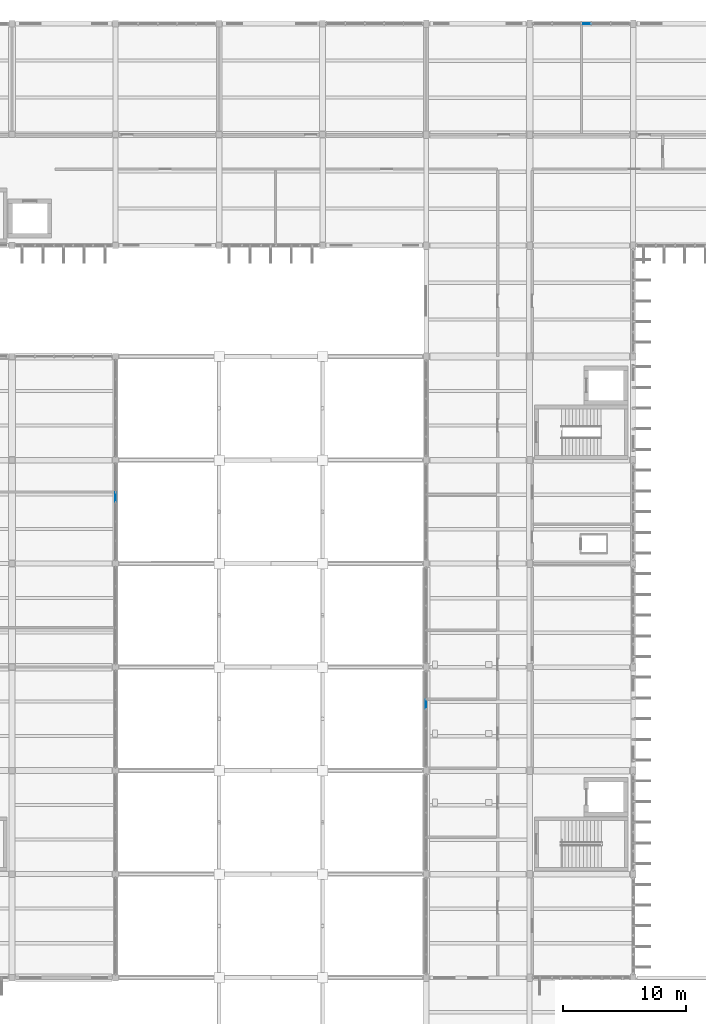
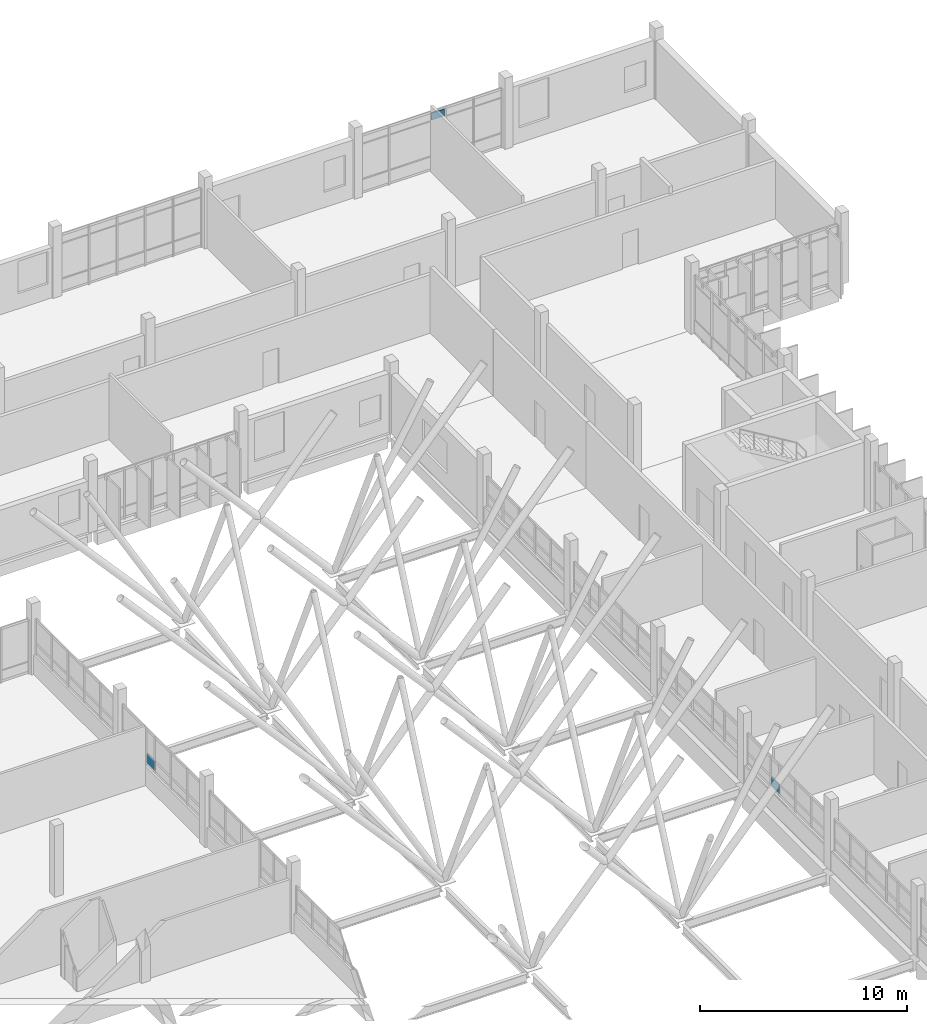
# One storey, part 82 of 107: 3 plates, 3 elements without a shape of their own.
"""IFC4 building model written with IfcOpenShell, lengths in metres."""

import ifcopenshell
import ifcopenshell.guid

model = None  # the IFC model being written
_history = None  # IfcOwnerHistory: only IFC2X3 demands one
_inside = {}  # id of a spatial element -> (the spatial element, [elements in it])
_under = {}  # id of a project, library or spatial element -> (it, [spatial elements below it])
_declared = {}  # id of a project -> (the project, [libraries it declares])
_typed = {}  # id of a type object -> (the type object, [elements of that type])
_made_of = {}  # id of a material, layer set ... -> (it, [elements and type objects made of it])


def new_model(schema):
    """Start an empty IFC model of exactly this schema.

    Asked for "IFC4X3", IfcOpenShell would pick the latest addendum, in which some entities
    have other attributes; the version numbers below select the first issue.
    IFC2X3 requires an IfcOwnerHistory on every rooted entity: one is made here for all.
    """
    global model, _history
    if schema == "IFC4X3":
        model = ifcopenshell.file(schema_version=(4, 3, 0, 0))
    else:
        model = ifcopenshell.file(schema=schema)
    _inside.clear()
    _under.clear()
    _declared.clear()
    _typed.clear()
    _made_of.clear()
    _history = None
    if model.schema == "IFC2X3":
        org = make("IfcOrganization", Name="unknown")
        user = make(
            "IfcPersonAndOrganization",
            ThePerson=make("IfcPerson", FamilyName="unknown"),
            TheOrganization=org,
        )
        app = make(
            "IfcApplication",
            ApplicationDeveloper=org,
            Version="unknown",
            ApplicationFullName="unknown",
            ApplicationIdentifier="unknown",
        )
        _history = make(
            "IfcOwnerHistory",
            OwningUser=user,
            OwningApplication=app,
            ChangeAction="ADDED",
            CreationDate=0,
        )
    return model


def make(cls, **values):
    """One entity of the class cls with the attributes given. An attribute that is None is left unset."""
    return model.create_entity(
        cls, **{name: value for name, value in values.items() if value is not None}
    )


def rooted(cls, **values):
    """An entity with a GlobalId (a new one), such as an element, a storey or a relation."""
    return make(cls, GlobalId=ifcopenshell.guid.new(), OwnerHistory=_history, **values)


def si_unit(unit_type, name, prefix=None):
    """IfcSIUnit, for example si_unit("LENGTHUNIT", "METRE", prefix="MILLI")."""
    return make("IfcSIUnit", UnitType=unit_type, Prefix=prefix, Name=name)


def assignment(units):
    """IfcUnitAssignment: the units of a project."""
    return None if units is None else make("IfcUnitAssignment", Units=units)


def point(xyz):
    """IfcCartesianPoint."""
    return None if xyz is None else make("IfcCartesianPoint", Coordinates=xyz)


def direction(xyz):
    """IfcDirection."""
    return None if xyz is None else make("IfcDirection", DirectionRatios=xyz)


def frame(location, z_axis=None, x_axis=None):
    """IfcAxis2Placement3D, a coordinate frame: its origin and axes. An axis left out is left unset."""
    return make(
        "IfcAxis2Placement3D",
        Location=point(location),
        Axis=direction(z_axis),
        RefDirection=direction(x_axis),
    )


def frame_2d(location, x_axis=None):
    """IfcAxis2Placement2D, a coordinate frame in the plane: its origin and x axis."""
    return make(
        "IfcAxis2Placement2D", Location=point(location), RefDirection=direction(x_axis)
    )


def origin():
    """The frame at (0, 0, 0) with its axes left unset."""
    return frame((0.0, 0.0, 0.0))


def origin_2d():
    """The frame at (0, 0) in the plane with its x axis left unset."""
    return frame_2d((0.0, 0.0))


def place(relative_to, where):
    """IfcLocalPlacement: puts the frame where relative to a parent placement (None: the world)."""
    return make(
        "IfcLocalPlacement", PlacementRelTo=relative_to, RelativePlacement=where
    )


def context(
    kind, dimensions, precision=None, world=None, true_north=None, identifier=None
):
    """IfcGeometricRepresentationContext, for example the 3D "Model" context."""
    return make(
        "IfcGeometricRepresentationContext",
        ContextIdentifier=identifier,
        ContextType=kind,
        CoordinateSpaceDimension=dimensions,
        Precision=precision,
        WorldCoordinateSystem=world,
        TrueNorth=true_north,
    )


def subcontext(parent, identifier, kind, view, scale=None):
    """IfcGeometricRepresentationSubContext, for example "Body" below "Model"."""
    return make(
        "IfcGeometricRepresentationSubContext",
        ContextIdentifier=identifier,
        ContextType=kind,
        ParentContext=parent,
        TargetScale=scale,
        TargetView=view,
    )


def project(units=None, contexts=None):
    """IfcProject with its units and contexts."""
    return rooted(
        "IfcProject",
        Name="project",
        RepresentationContexts=contexts,
        UnitsInContext=assignment(units),
    )


def spatial(cls, under=None, at=None, **own):
    """A site, building, storey or space (cls), placed at a placement, below another one or the project."""
    s = rooted(cls, ObjectPlacement=at, **own)
    if under is not None:
        _under.setdefault(under.id(), (under, []))[1].append(s)
    return s


def profile(cls, at=None, kind="AREA", **sizes):
    """A parametric profile (cls). Its sizes go by their IFC names, for example OverallWidth=200.0."""
    return make(cls, ProfileType=kind, Position=at, **sizes)


def rectangle(**sizes):
    """IfcRectangleProfileDef."""
    return profile("IfcRectangleProfileDef", **sizes)


def extrude(swept, where, along, depth):
    """IfcExtrudedAreaSolid: the profile swept, set in the frame where, extruded along a direction by depth."""
    return make(
        "IfcExtrudedAreaSolid",
        SweptArea=swept,
        Position=where,
        ExtrudedDirection=direction(along),
        Depth=depth,
    )


def shape(context_of_items, identifier, shape_type, items):
    """IfcShapeRepresentation: the items that make up one representation, for example the "Body"."""
    return make(
        "IfcShapeRepresentation",
        ContextOfItems=context_of_items,
        RepresentationIdentifier=identifier,
        RepresentationType=shape_type,
        Items=items,
    )


def material(Name=None, Category=None):
    """IfcMaterial."""
    return make("IfcMaterial", Name=Name, Category=Category)


def layer(
    of_material, thickness, ventilated=None, Name=None, Category=None, Priority=None
):
    """IfcMaterialLayer: one layer of a wall or slab, of a material (None: an air gap)."""
    return make(
        "IfcMaterialLayer",
        Material=of_material,
        LayerThickness=thickness,
        IsVentilated=ventilated,
        Name=Name,
        Category=Category,
        Priority=Priority,
    )


def layer_set(layers, Name=None):
    """IfcMaterialLayerSet."""
    return make("IfcMaterialLayerSet", MaterialLayers=layers, LayerSetName=Name)


def made_of(thing, what):
    """Note that an element or type object is made of a material, layer set ...; save() writes the relation."""
    if what is not None:
        _made_of.setdefault(what.id(), (what, []))[1].append(thing)
    return thing


def type_object(cls, material=None, **own):
    """A type object (cls), such as IfcWallType, which elements share."""
    return made_of(rooted(cls, **own), material)


def element(
    cls,
    number,
    at=None,
    inside=None,
    cuts=None,
    type_object=None,
    material=None,
    context=None,
    identifier="Body",
    shape_type=None,
    held_by="IfcProductDefinitionShape",
    body=None,
    shapes=None,
    **own,
):
    """One element of the class cls, such as IfcWall. Its Tag is "e" and its number.

    at: its placement. inside: the storey or other place that contains it. cuts: it is an
    opening in that element (IfcRelVoidsElement). A single representation is given by context,
    identifier, shape_type and body (its items); several are given by shapes. held_by: the class
    of the entity that holds the representations. save() writes the other relations.
    """
    e = rooted(cls, Tag="e%d" % number, ObjectPlacement=at, **own)
    if body is not None:
        shapes = [shape(context, identifier, shape_type, body)]
    if shapes is not None:
        e.Representation = make(held_by, Representations=shapes)
    if inside is not None:
        _inside.setdefault(inside.id(), (inside, []))[1].append(e)
    if cuts is not None:
        rooted(
            "IfcRelVoidsElement", RelatingBuildingElement=cuts, RelatedOpeningElement=e
        )
    if type_object is not None:
        _typed.setdefault(type_object.id(), (type_object, []))[1].append(e)
    return made_of(e, material)


def aggregate(whole, parts):
    """IfcRelAggregates: a whole, such as a stair, and the parts it consists of."""
    return rooted("IfcRelAggregates", RelatingObject=whole, RelatedObjects=parts)


def save(model, path):
    """Write the relations noted so far, then the file.

    IfcRelAggregates (storeys below a building ...), IfcRelContainedInSpatialStructure (elements
    in a storey), IfcRelDefinesByType, IfcRelAssociatesMaterial and IfcRelDeclares: one each for
    every whole, place, type object, material and project.
    """
    for whole, parts in _under.values():
        aggregate(whole, parts)
    for where, things in _inside.values():
        rooted(
            "IfcRelContainedInSpatialStructure",
            RelatedElements=things,
            RelatingStructure=where,
        )
    for kind, things in _typed.values():
        rooted("IfcRelDefinesByType", RelatedObjects=things, RelatingType=kind)
    for what, things in _made_of.values():
        rooted("IfcRelAssociatesMaterial", RelatedObjects=things, RelatingMaterial=what)
    for by, libraries in _declared.values():
        rooted("IfcRelDeclares", RelatingContext=by, RelatedDefinitions=libraries)
    model.write(path)


model = new_model("IFC4")

# Units and contexts
model_context = context("Model", 3, precision=1e-05, world=origin(), true_north=direction((0.0, 1.0)))
body_context = subcontext(model_context, "Body", "Model", "MODEL_VIEW")
ifc_project = project(units=[si_unit("LENGTHUNIT", "METRE"), si_unit("AREAUNIT", "SQUARE_METRE"), si_unit("VOLUMEUNIT", "CUBIC_METRE"), si_unit("PLANEANGLEUNIT", "RADIAN"), si_unit("MASSUNIT", "GRAM", prefix="KILO")], contexts=[model_context])

# Site, building, storey
site_placement = place(None, origin())
site = spatial("IfcSite", under=ifc_project, at=site_placement, CompositionType="ELEMENT")
building_placement = place(site_placement, origin())
building = spatial("IfcBuilding", under=site, at=building_placement, Name="Vireocrest Preparatory School", CompositionType="ELEMENT")
storey_placement = place(building_placement, frame((0.0, 0.0, 13.199951171875)))
storey = spatial("IfcBuildingStorey", under=building, at=storey_placement, Name="L03", CompositionType="ELEMENT", Elevation=13.199951171875)

# Curtain wall, plate
ifc_material_1 = material(Name="Thermally broken aluminium EN AW-6063-T6", Category="aluminium")
ifc_layer_1 = layer(ifc_material_1, 0.179931640625)
ifc_layer_set_1 = layer_set([ifc_layer_1], Name="Thermally broken aluminium EN AW-6063-T6")
curtain_wall_type_1 = type_object("IfcCurtainWallType", Name="North Street Curtain Wall 8400x4000", PredefinedType="USERDEFINED", material=ifc_layer_set_1)
curtain_wall_1_placement = place(storey_placement, origin())
curtain_wall_1 = element("IfcCurtainWall", 1, at=curtain_wall_1_placement, inside=storey, type_object=curtain_wall_type_1, Name="Curtain Wall CW05 CW_L03_CW05_1010_1128_132", ObjectType="CURTAIN WALL", PredefinedType="USERDEFINED")
ifc_material_2 = material(Name="Insulated triple low-e tempered safety glass", Category="glass")
ifc_layer_2 = layer(ifc_material_2, 0.074951171875)
ifc_layer_set_2 = layer_set([ifc_layer_2], Name="Insulated triple low-e tempered safety glass")
plate_type_1 = type_object("IfcPlateType", Name="Acoustic Triple-Glazed Lab Curtain Panel 75", PredefinedType="CURTAIN_PANEL", material=ifc_layer_set_2)
plate_1_placement = place(storey_placement, frame((105.39404296875, 112.800048828125, 2.96240234375), z_axis=(0.0, 0.0, 1.0), x_axis=(1.0, 0.0, 0.0)))
plate_1 = element("IfcPlate", 2, at=plate_1_placement, type_object=plate_type_1, Name="CW Panel GL2 CW_L03_CW05_1010_1128_132-3-3", PredefinedType="CURTAIN_PANEL", context=body_context, shape_type="SweptSolid", body=[
    extrude(rectangle(XDim=0.722900390625, YDim=0.074951171875, at=origin_2d()), origin(), (0.0, 0.0, 1.0), 0.409912109375),
])
aggregate(curtain_wall_1, [plate_1])

ifc_layer_3 = layer(ifc_material_1, 0.179931640625)
ifc_layer_set_3 = layer_set([ifc_layer_3], Name="Thermally broken aluminium EN AW-6063-T6")
curtain_wall_type_2 = type_object("IfcCurtainWallType", Name="Court Banded Curtain Wall 8400x3000", PredefinedType="USERDEFINED", material=ifc_layer_set_3)
curtain_wall_2_placement = place(storey_placement, origin())
curtain_wall_2 = element("IfcCurtainWall", 3, at=curtain_wall_2_placement, inside=storey, type_object=curtain_wall_type_2, Name="Curtain Wall CW02 CW_L03_CW02_0672_0692_144", ObjectType="CURTAIN WALL", PredefinedType="USERDEFINED")
ifc_layer_4 = layer(ifc_material_2, 0.06005859375)
ifc_layer_set_4 = layer_set([ifc_layer_4], Name="Insulated triple low-e tempered safety glass")
plate_type_2 = type_object("IfcPlateType", Name="Triple-Glazed Vision Curtain Panel 60", PredefinedType="CURTAIN_PANEL", material=ifc_layer_set_4)
plate_2_placement = place(storey_placement, frame((67.199951171875, 74.3916015625, 1.277587890625), z_axis=(0.0, 0.0, 1.0), x_axis=(0.0, 1.0, 0.0)))
plate_2 = element("IfcPlate", 4, at=plate_2_placement, type_object=plate_type_2, Name="CW Panel GL1 CW_L03_CW02_0672_0692_144-4-1", PredefinedType="CURTAIN_PANEL", context=body_context, shape_type="SweptSolid", body=[
    extrude(rectangle(XDim=0.751953125, YDim=0.06005859375, at=origin_2d()), origin(), (0.0, 0.0, 1.0), 0.5400390625),
])
aggregate(curtain_wall_2, [plate_2])

curtain_wall_3_placement = place(storey_placement, origin())
curtain_wall_3 = element("IfcCurtainWall", 5, at=curtain_wall_3_placement, inside=storey, type_object=curtain_wall_type_2, Name="Curtain Wall CW02 CW_L03_CW02_0924_0525_144", ObjectType="CURTAIN WALL", PredefinedType="USERDEFINED")
plate_3_placement = place(storey_placement, frame((92.39990234375, 57.58642578125, 1.277587890625), z_axis=(0.0, 0.0, 1.0), x_axis=(0.0, 1.0, 0.0)))
plate_3 = element("IfcPlate", 6, at=plate_3_placement, type_object=plate_type_2, Name="CW Panel GL1 CW_L03_CW02_0924_0525_144-4-1", PredefinedType="CURTAIN_PANEL", context=body_context, shape_type="SweptSolid", body=[
    extrude(rectangle(XDim=0.761962890625, YDim=0.06005859375, at=origin_2d()), origin(), (0.0, 0.0, 1.0), 0.5400390625),
])
aggregate(curtain_wall_3, [plate_3])

save(model, "model.ifc")
